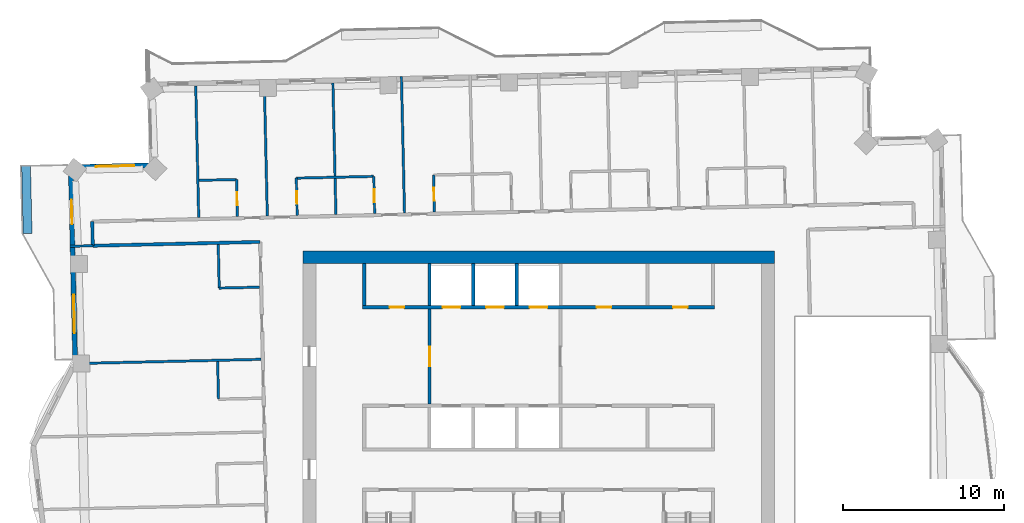
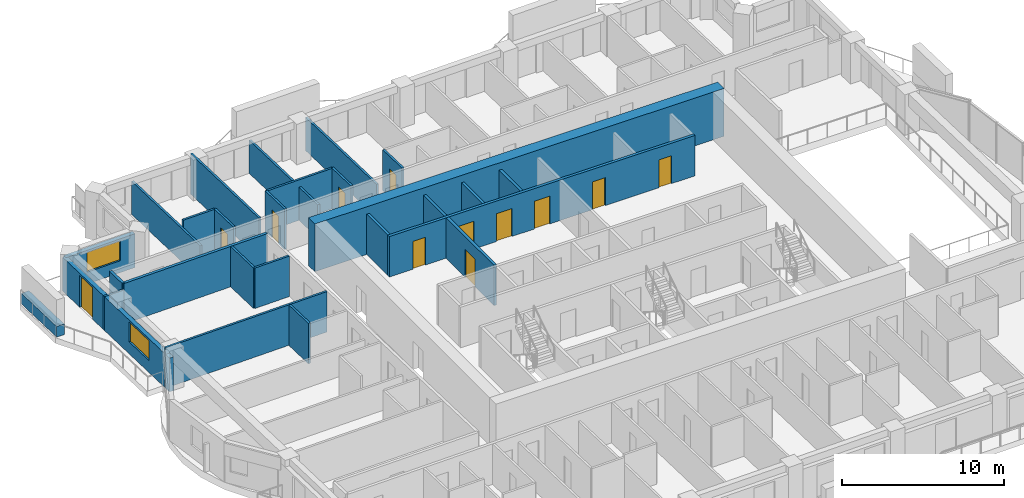
# One storey, part 10 of 17: 27 walls, 12 doors, 2 windows, 14 openings.
"""IFC4 building model written with IfcOpenShell, lengths in metres."""

from ifc_helpers import new_model, si_unit, direction, frame, frame_2d, origin, place, context, subcontext, project, spatial, rectangle, extrude, material, layer, layer_set, type_object, element, fill, save


model = new_model("IFC4")

# Units and contexts
model_context = context("Model", 3, precision=1e-05, world=origin(), true_north=direction((0.0, 1.0)))
body_context = subcontext(model_context, "Body", "Model", "MODEL_VIEW")
ifc_project = project(units=[si_unit("LENGTHUNIT", "METRE"), si_unit("AREAUNIT", "SQUARE_METRE"), si_unit("VOLUMEUNIT", "CUBIC_METRE"), si_unit("PLANEANGLEUNIT", "RADIAN"), si_unit("MASSUNIT", "GRAM", prefix="KILO")], contexts=[model_context])

# Site, building, storey
site_placement = place(None, origin())
site = spatial("IfcSite", under=ifc_project, at=site_placement, CompositionType="ELEMENT")
building_placement = place(site_placement, origin())
building = spatial("IfcBuilding", under=site, at=building_placement, Name="Mangrove Gate Tower", CompositionType="ELEMENT")
storey_placement = place(building_placement, frame((0.0, 0.0, 241.89990234375)))
storey = spatial("IfcBuildingStorey", under=building, at=storey_placement, Name="L61", CompositionType="ELEMENT", Elevation=241.89990234375)

# Wall, opening, door
ifc_material_1 = material(Name="Concrete C32/40", Category="concrete")
ifc_layer_1 = layer(ifc_material_1, 0.199951171875)
ifc_layer_set_1 = layer_set([ifc_layer_1], Name="Core lobby wall 200 C32/40")
wall_type_1 = type_object("IfcWallType", Name="Core lobby wall 200 C32/40", PredefinedType="STANDARD", material=ifc_layer_set_1)
wall_1_placement = place(storey_placement, frame((-6.75, 2.10009765625, 0.0), z_axis=(0.0, 0.0, 1.0), x_axis=(0.0, 1.0, 0.0)))
wall_1 = element("IfcWall", 1, at=wall_1_placement, inside=storey, type_object=wall_type_1, Name="WALL-L61-CORE-33", PredefinedType="STANDARD", context=body_context, shape_type="SweptSolid", body=[
    extrude(rectangle(XDim=5.89990234375, YDim=0.199951171875, at=frame_2d((2.949951171875, 0.0))), origin(), (0.0, 0.0, 1.0), 3.050048828125),
])
opening_1_placement = place(wall_1_placement, frame((2.35009765625, 0.0, 0.0)))
opening_1 = element("IfcOpeningElement", 2, at=opening_1_placement, cuts=wall_1, Name="Opening FL12", PredefinedType="OPENING", context=body_context, shape_type="SweptSolid", body=[
    extrude(rectangle(XDim=1.199951171875, YDim=2.10009765625, at=frame_2d((0.60009765625, 1.050048828125))), frame((0.0, 0.10986328125, 0.0), z_axis=(0.0, -1.0, 0.0), x_axis=(1.0, 0.0, 0.0)), (0.0, 0.0, 1.0), 0.219970703125),
])
ifc_material_2 = material(Name="Fire-rated steel door set", Category="steel")
door_type_1 = type_object("IfcDoorType", Name="Lobby door FD60 1200x2100", OperationType="SINGLE_SWING_LEFT", PredefinedType="DOOR", material=ifc_material_2)
door_1_placement = place(opening_1_placement, origin())
door_1 = element("IfcDoor", 3, at=door_1_placement, inside=storey, type_object=door_type_1, Name="Lobby door lift lobby partition", OperationType="SINGLE_SWING_LEFT", OverallHeight=2.10009765625, OverallWidth=1.199951171875, PredefinedType="DOOR", context=body_context, shape_type="SweptSolid", body=[
    extrude(rectangle(XDim=1.199951171875, YDim=2.10009765625, at=frame_2d((0.60009765625, 1.050048828125))), frame((0.0, 0.02490234375, 0.0), z_axis=(0.0, -1.0, 0.0), x_axis=(1.0, 0.0, 0.0)), (0.0, 0.0, 1.0), 0.050048828125),
])
fill(opening_1, door_1)

# Wall
ifc_material_3 = material(Name="Concrete C32/40", Category="concrete")
ifc_layer_2 = layer(ifc_material_3, 0.199951171875)
ifc_layer_set_2 = layer_set([ifc_layer_2], Name="Core room wall 200 C32/40")
wall_type_2 = type_object("IfcWallType", Name="Core room wall 200 C32/40", PredefinedType="STANDARD", material=ifc_layer_set_2)
wall_2_placement = place(storey_placement, frame((-10.800048828125, 8.199951171875, 0.0), z_axis=(0.0, 0.0, 1.0), x_axis=(0.0, 1.0, 0.0)))
element("IfcWall", 4, at=wall_2_placement, inside=storey, type_object=wall_type_2, Name="WALL-L61-CORE-26", PredefinedType="STANDARD", context=body_context, shape_type="SweptSolid", body=[
    extrude(rectangle(XDim=2.60009765625, YDim=0.199951171875, at=frame_2d((1.300048828125, 0.0))), origin(), (0.0, 0.0, 1.0), 3.050048828125),
])

# Wall, openings, doors
ifc_material_4 = material(Name="Concrete C60/75", Category="concrete")
ifc_layer_3 = layer(ifc_material_4, 0.199951171875)
ifc_layer_set_3 = layer_set([ifc_layer_3], Name="Core shaft wall 200 C60/75")
wall_type_3 = type_object("IfcWallType", Name="Core shaft wall 200 C60/75", PredefinedType="SHEAR", material=ifc_layer_set_3)
wall_3_placement = place(storey_placement, frame((-10.89990234375, 8.10009765625, 0.0), z_axis=(0.0, 0.0, 1.0), x_axis=(1.0, 0.0, 0.0)))
wall_3 = element("IfcWall", 5, at=wall_3_placement, inside=storey, type_object=wall_type_3, Name="WALL-L61-CORE-8", PredefinedType="SHEAR", context=body_context, shape_type="SweptSolid", body=[
    extrude(rectangle(XDim=21.7998046875, YDim=0.199951171875, at=frame_2d((10.89990234375, 0.0))), origin(), (0.0, 0.0, 1.0), 3.050048828125),
])
opening_2_placement = place(wall_3_placement, frame((4.949951171875, 0.0, 0.0)))
opening_2 = element("IfcOpeningElement", 6, at=opening_2_placement, cuts=wall_3, Name="Opening LD", PredefinedType="OPENING", context=body_context, shape_type="SweptSolid", body=[
    extrude(rectangle(XDim=1.10009765625, YDim=2.10009765625, at=frame_2d((0.550048828125, 1.050048828125))), frame((0.0, 0.10986328125, 0.0), z_axis=(0.0, -1.0, 0.0), x_axis=(1.0, 0.0, 0.0)), (0.0, 0.0, 1.0), 0.219970703125),
])
opening_3_placement = place(wall_3_placement, frame((7.64990234375, 0.0, 0.0)))
opening_3 = element("IfcOpeningElement", 7, at=opening_3_placement, cuts=wall_3, Name="Opening LD", PredefinedType="OPENING", context=body_context, shape_type="SweptSolid", body=[
    extrude(rectangle(XDim=1.10009765625, YDim=2.10009765625, at=frame_2d((0.550048828125, 1.050048828125))), frame((0.0, 0.10986328125, 0.0), z_axis=(0.0, -1.0, 0.0), x_axis=(1.0, 0.0, 0.0)), (0.0, 0.0, 1.0), 0.219970703125),
])
opening_4_placement = place(wall_3_placement, frame((10.35009765625, 0.0, 0.0)))
opening_4 = element("IfcOpeningElement", 8, at=opening_4_placement, cuts=wall_3, Name="Opening LD", PredefinedType="OPENING", context=body_context, shape_type="SweptSolid", body=[
    extrude(rectangle(XDim=1.10009765625, YDim=2.10009765625, at=frame_2d((0.550048828125, 1.050048828125))), frame((0.0, 0.10986328125, 0.0), z_axis=(0.0, -1.0, 0.0), x_axis=(1.0, 0.0, 0.0)), (0.0, 0.0, 1.0), 0.219970703125),
])
opening_5_placement = place(wall_3_placement, frame((1.675048828125, 0.0, 0.0)))
opening_5 = element("IfcOpeningElement", 9, at=opening_5_placement, cuts=wall_3, Name="Opening KD", PredefinedType="OPENING", context=body_context, shape_type="SweptSolid", body=[
    extrude(rectangle(XDim=0.89990234375, YDim=2.10009765625, at=frame_2d((0.449951171875, 1.050048828125))), frame((0.0, 0.10986328125, 0.0), z_axis=(0.0, -1.0, 0.0), x_axis=(1.0, 0.0, 0.0)), (0.0, 0.0, 1.0), 0.219970703125),
])
opening_6_placement = place(wall_3_placement, frame((14.5, 0.0, 0.0)))
opening_6 = element("IfcOpeningElement", 10, at=opening_6_placement, cuts=wall_3, Name="Opening RD", PredefinedType="OPENING", context=body_context, shape_type="SweptSolid", body=[
    extrude(rectangle(XDim=0.89990234375, YDim=2.10009765625, at=frame_2d((0.449951171875, 1.050048828125))), frame((0.0, 0.10986328125, 0.0), z_axis=(0.0, -1.0, 0.0), x_axis=(1.0, 0.0, 0.0)), (0.0, 0.0, 1.0), 0.219970703125),
])
opening_7_placement = place(wall_3_placement, frame((19.22509765625, 0.0, 0.0)))
opening_7 = element("IfcOpeningElement", 11, at=opening_7_placement, cuts=wall_3, Name="Opening RD", PredefinedType="OPENING", context=body_context, shape_type="SweptSolid", body=[
    extrude(rectangle(XDim=0.89990234375, YDim=2.10009765625, at=frame_2d((0.449951171875, 1.050048828125))), frame((0.0, 0.10986328125, 0.0), z_axis=(0.0, -1.0, 0.0), x_axis=(1.0, 0.0, 0.0)), (0.0, 0.0, 1.0), 0.219970703125),
])
ifc_material_5 = material(Name="Fire-rated steel door set", Category="steel")
door_type_2 = type_object("IfcDoorType", Name="Core room door FD30S 900x2100", OperationType="SINGLE_SWING_RIGHT", PredefinedType="DOOR", material=ifc_material_5)
door_2_placement = place(opening_5_placement, origin())
door_2 = element("IfcDoor", 12, at=door_2_placement, inside=storey, type_object=door_type_2, Name="Core room door Linen store", OperationType="SINGLE_SWING_RIGHT", OverallHeight=2.10009765625, OverallWidth=0.89990234375, PredefinedType="DOOR", context=body_context, shape_type="SweptSolid", body=[
    extrude(rectangle(XDim=0.89990234375, YDim=2.10009765625, at=frame_2d((0.449951171875, 1.050048828125))), frame((0.0, 0.02490234375, 0.0), z_axis=(0.0, -1.0, 0.0), x_axis=(1.0, 0.0, 0.0)), (0.0, 0.0, 1.0), 0.050048828125),
])
fill(opening_5, door_2)
ifc_material_6 = material(Name="Stainless steel 316", Category="steel")
door_type_3 = type_object("IfcDoorType", Name="Lift landing door 1100x2100", OperationType="SLIDING_TO_LEFT", PredefinedType="DOOR", material=ifc_material_6)
door_3_placement = place(opening_2_placement, origin())
door_3 = element("IfcDoor", 13, at=door_3_placement, inside=storey, type_object=door_type_3, Name="Landing door LD H04", OperationType="SLIDING_TO_LEFT", OverallHeight=2.10009765625, OverallWidth=1.10009765625, PredefinedType="DOOR", context=body_context, shape_type="SweptSolid", body=[
    extrude(rectangle(XDim=1.10009765625, YDim=2.10009765625, at=frame_2d((0.550048828125, 1.050048828125))), frame((0.0, 0.02490234375, 0.0), z_axis=(0.0, -1.0, 0.0), x_axis=(1.0, 0.0, 0.0)), (0.0, 0.0, 1.0), 0.050048828125),
])
fill(opening_2, door_3)
door_4_placement = place(opening_3_placement, origin())
door_4 = element("IfcDoor", 14, at=door_4_placement, inside=storey, type_object=door_type_3, Name="Landing door LD H05", OperationType="SLIDING_TO_LEFT", OverallHeight=2.10009765625, OverallWidth=1.10009765625, PredefinedType="DOOR", context=body_context, shape_type="SweptSolid", body=[
    extrude(rectangle(XDim=1.10009765625, YDim=2.10009765625, at=frame_2d((0.550048828125, 1.050048828125))), frame((0.0, 0.02490234375, 0.0), z_axis=(0.0, -1.0, 0.0), x_axis=(1.0, 0.0, 0.0)), (0.0, 0.0, 1.0), 0.050048828125),
])
fill(opening_3, door_4)
door_5_placement = place(opening_4_placement, origin())
door_5 = element("IfcDoor", 15, at=door_5_placement, inside=storey, type_object=door_type_3, Name="Landing door LD H06", OperationType="SLIDING_TO_LEFT", OverallHeight=2.10009765625, OverallWidth=1.10009765625, PredefinedType="DOOR", context=body_context, shape_type="SweptSolid", body=[
    extrude(rectangle(XDim=1.10009765625, YDim=2.10009765625, at=frame_2d((0.550048828125, 1.050048828125))), frame((0.0, 0.02490234375, 0.0), z_axis=(0.0, -1.0, 0.0), x_axis=(1.0, 0.0, 0.0)), (0.0, 0.0, 1.0), 0.050048828125),
])
fill(opening_4, door_5)
ifc_material_7 = material(Name="Fire-rated steel door set", Category="steel")
door_type_4 = type_object("IfcDoorType", Name="Riser door FD30S 900x2100", OperationType="SINGLE_SWING_LEFT", PredefinedType="DOOR", material=ifc_material_7)
door_6_placement = place(opening_6_placement, origin())
door_6 = element("IfcDoor", 16, at=door_6_placement, inside=storey, type_object=door_type_4, Name="Riser door Switch room", OperationType="SINGLE_SWING_LEFT", OverallHeight=2.10009765625, OverallWidth=0.89990234375, PredefinedType="DOOR", context=body_context, shape_type="SweptSolid", body=[
    extrude(rectangle(XDim=0.89990234375, YDim=2.10009765625, at=frame_2d((0.449951171875, 1.050048828125))), frame((0.0, 0.02490234375, 0.0), z_axis=(0.0, -1.0, 0.0), x_axis=(1.0, 0.0, 0.0)), (0.0, 0.0, 1.0), 0.050048828125),
])
fill(opening_6, door_6)
door_7_placement = place(opening_7_placement, origin())
door_7 = element("IfcDoor", 17, at=door_7_placement, inside=storey, type_object=door_type_4, Name="Riser door Comms room", OperationType="SINGLE_SWING_LEFT", OverallHeight=2.10009765625, OverallWidth=0.89990234375, PredefinedType="DOOR", context=body_context, shape_type="SweptSolid", body=[
    extrude(rectangle(XDim=0.89990234375, YDim=2.10009765625, at=frame_2d((0.449951171875, 1.050048828125))), frame((0.0, 0.02490234375, 0.0), z_axis=(0.0, -1.0, 0.0), x_axis=(1.0, 0.0, 0.0)), (0.0, 0.0, 1.0), 0.050048828125),
])
fill(opening_7, door_7)

# Walls
for number, where, z_axis, x_axis, name in (
    (18, (-6.75, 8.199951171875, 0.0), (0.0, 0.0, 1.0), (0.0, 1.0, 0.0), "WALL-L61-CORE-27"),
    (19, (-4.050048828125, 8.199951171875, 0.0), (0.0, 0.0, 1.0), (0.0, 1.0, 0.0), "WALL-L61-CORE-28"),
    (20, (-1.35009765625, 8.199951171875, 0.0), (0.0, 0.0, 1.0), (0.0, 1.0, 0.0), "WALL-L61-CORE-29"),
):
    element("IfcWall", number, at=place(storey_placement, frame(where, z_axis=z_axis, x_axis=x_axis)), inside=storey, type_object=wall_type_3, Name=name, PredefinedType="SHEAR", context=body_context, shape_type="SweptSolid", body=[
        extrude(rectangle(XDim=2.60009765625, YDim=0.199951171875, at=frame_2d((1.300048828125, 0.0))), origin(), (0.0, 0.0, 1.0), 3.050048828125),
    ])
ifc_material_8 = material(Name="Concrete C60/75", Category="concrete")
ifc_layer_4 = layer(ifc_material_8, 0.800048828125)
ifc_layer_set_4 = layer_set([ifc_layer_4], Name="Core wall 800 C60/75")
wall_type_4 = type_object("IfcWallType", Name="Core wall 800 C60/75", PredefinedType="SHEAR", material=ifc_layer_set_4)
wall_4_placement = place(storey_placement, frame((-14.60009765625, 11.199951171875, 0.0), z_axis=(0.0, 0.0, 1.0), x_axis=(1.0, 0.0, 0.0)))
element("IfcWall", 21, at=wall_4_placement, inside=storey, type_object=wall_type_4, Name="WALL-L61-CORE-2", PredefinedType="SHEAR", context=body_context, shape_type="SweptSolid", body=[
    extrude(rectangle(XDim=29.2001953125, YDim=0.800048828125, at=frame_2d((14.60009765625, 0.0))), origin(), (0.0, 0.0, 1.0), 3.60009765625),
])
ifc_material_9 = material(Name="Gypsum board on steel stud, EI 60", Category="steel")
ifc_layer_5 = layer(ifc_material_9, 0.199951171875)
ifc_layer_set_5 = layer_set([ifc_layer_5], Name="Corridor wall EI 60")
wall_type_5 = type_object("IfcWallType", Name="Corridor wall EI 60", PredefinedType="PARTITIONING", material=ifc_layer_set_5)
wall_5_placement = place(storey_placement, frame((-27.617919921875, 11.9130859375, 0.0), z_axis=(0.0, 0.0, 1.0), x_axis=(0.999741483035, 0.022736910479, 0.0)))
element("IfcWall", 22, at=wall_5_placement, inside=storey, type_object=wall_type_5, Name="WALL-L61-053", PredefinedType="PARTITIONING", context=body_context, shape_type="SweptSolid", body=[
    extrude(rectangle(XDim=10.37255859375, YDim=0.199951171875, at=frame_2d((5.186279296875, 0.0))), origin(), (0.0, 0.0, 1.0), 3.050048828125),
])
wall_6_placement = place(storey_placement, frame((-27.614013671875, 11.9130859375, 0.0), z_axis=(0.0, 0.0, 1.0), x_axis=(-0.022617910375, 0.999744182344, 0.0)))
element("IfcWall", 23, at=wall_6_placement, inside=storey, type_object=wall_type_5, Name="WALL-L61-054", PredefinedType="PARTITIONING", context=body_context, shape_type="SweptSolid", body=[
    extrude(rectangle(XDim=1.50048828125, YDim=0.199951171875, at=frame_2d((0.750244140625, 0.0))), origin(), (0.0, 0.0, 1.0), 3.050048828125),
])

# Wall, opening, window
ifc_material_10 = material(Name="Limestone", Category="masonry")
ifc_layer_6 = layer(ifc_material_10, 0.0400390625, Name="Limestone cladding")
ifc_material_11 = material(Name="Ventilated air gap")
ifc_layer_7 = layer(ifc_material_11, 0.0400390625, Name="Ventilated cavity")
ifc_material_12 = material(Name="Mineral wool insulation")
ifc_layer_8 = layer(ifc_material_12, 0.06005859375, Name="Insulation")
ifc_material_13 = material(Name="Breather membrane")
ifc_layer_9 = layer(ifc_material_13, 0.001953125, Name="Breather membrane")
ifc_material_14 = material(Name="Concrete C20/25 blockwork", Category="masonry")
ifc_layer_10 = layer(ifc_material_14, 0.14990234375, Name="Blockwork backing wall")
ifc_material_15 = material(Name="Gypsum plaster")
ifc_layer_11 = layer(ifc_material_15, 0.008056640625, Name="Internal plaster")
ifc_layer_set_6 = layer_set([ifc_layer_6, ifc_layer_7, ifc_layer_8, ifc_layer_9, ifc_layer_10, ifc_layer_11], Name="External wall 300 limestone cladding")
wall_type_6 = type_object("IfcWallType", Name="External wall 300 limestone cladding", PredefinedType="SOLIDWALL", material=ifc_layer_set_6)
wall_7_placement = place(storey_placement, frame((-23.98095703125, 16.89697265625, 0.0), z_axis=(0.0, 0.0, 1.0), x_axis=(-0.999744350543, -0.022610474516, 0.0)))
wall_7 = element("IfcWall", 24, at=wall_7_placement, inside=storey, type_object=wall_type_6, Name="WALL-L61-N7", PredefinedType="SOLIDWALL", context=body_context, shape_type="SweptSolid", body=[
    extrude(rectangle(XDim=4.999267578125, YDim=0.300048828125, at=frame_2d((2.49951171875, 0.0))), origin(), (0.0, 0.0, 1.0), 2.550048828125),
])
opening_8_placement = place(wall_7_placement, frame((1.06298828125, 0.0, 0.89990234375)))
opening_8 = element("IfcOpeningElement", 25, at=opening_8_placement, cuts=wall_7, Name="Opening W2", PredefinedType="OPENING", context=body_context, shape_type="SweptSolid", body=[
    extrude(rectangle(XDim=2.39990234375, YDim=1.5, at=frame_2d((1.199951171875, 0.75))), frame((0.0, 0.159912109375, 0.0), z_axis=(0.0, -1.0, 0.0), x_axis=(1.0, 0.0, 0.0)), (0.0, 0.0, 1.0), 0.320068359375),
])
ifc_material_16 = material(Name="Aluminium frame with double-glazed low-e glass", Category="aluminium")
window_type = type_object("IfcWindowType", Name="Corner room window 2400x1500", PartitioningType="DOUBLE_PANEL_VERTICAL", PredefinedType="WINDOW", material=ifc_material_16)
window_1_placement = place(opening_8_placement, origin())
window_1 = element("IfcWindow", 26, at=window_1_placement, inside=storey, type_object=window_type, Name="WIN-L61-N7-1", OverallHeight=1.5, OverallWidth=2.39990234375, PartitioningType="DOUBLE_PANEL_VERTICAL", PredefinedType="WINDOW", context=body_context, shape_type="SweptSolid", body=[
    extrude(rectangle(XDim=2.39990234375, YDim=1.5, at=frame_2d((1.199951171875, 0.75))), frame((0.0, 0.030029296875, 0.0), z_axis=(0.0, -1.0, 0.0), x_axis=(1.0, 0.0, 0.0)), (0.0, 0.0, 1.0), 0.06005859375),
])
fill(opening_8, window_1)

# Wall, openings, door, window
wall_8_placement = place(storey_placement, frame((-28.97900390625, 16.783935546875, 0.0), z_axis=(0.0, 0.0, 1.0), x_axis=(0.022685159264, -0.999742658662, 0.0)))
wall_8 = element("IfcWall", 27, at=wall_8_placement, inside=storey, type_object=wall_type_6, Name="WALL-L61-W8s1", PredefinedType="SOLIDWALL", context=body_context, shape_type="SweptSolid", body=[
    extrude(rectangle(XDim=12.69921875, YDim=0.300048828125, at=frame_2d((6.349609375, 0.0))), origin(), (0.0, 0.0, 1.0), 2.550048828125),
])
opening_9_placement = place(wall_8_placement, frame((2.034912109375, 0.0, 0.0)))
opening_9 = element("IfcOpeningElement", 28, at=opening_9_placement, cuts=wall_8, Name="Opening BD1", PredefinedType="OPENING", context=body_context, shape_type="SweptSolid", body=[
    extrude(rectangle(XDim=1.5, YDim=2.39990234375, at=frame_2d((0.75, 1.199951171875))), frame((0.0, 0.159912109375, 0.0), z_axis=(0.0, -1.0, 0.0), x_axis=(1.0, 0.0, 0.0)), (0.0, 0.0, 1.0), 0.320068359375),
])
opening_10_placement = place(wall_8_placement, frame((7.89404296875, 0.0, 0.89990234375)))
opening_10 = element("IfcOpeningElement", 29, at=opening_10_placement, cuts=wall_8, Name="Opening W2", PredefinedType="OPENING", context=body_context, shape_type="SweptSolid", body=[
    extrude(rectangle(XDim=2.39990234375, YDim=1.5, at=frame_2d((1.199951171875, 0.75))), frame((0.0, 0.159912109375, 0.0), z_axis=(0.0, -1.0, 0.0), x_axis=(1.0, 0.0, 0.0)), (0.0, 0.0, 1.0), 0.320068359375),
])
ifc_material_17 = material(Name="Aluminium frame with laminated clear glass", Category="aluminium")
door_type_5 = type_object("IfcDoorType", Name="Balcony sliding door 1500x2400", OperationType="SLIDING_TO_LEFT", PredefinedType="DOOR", material=ifc_material_17)
door_8_placement = place(opening_9_placement, origin())
door_8 = element("IfcDoor", 30, at=door_8_placement, inside=storey, type_object=door_type_5, Name="DOOR-L61-W8-1", OperationType="SLIDING_TO_LEFT", OverallHeight=2.39990234375, OverallWidth=1.5, PredefinedType="DOOR", context=body_context, shape_type="SweptSolid", body=[
    extrude(rectangle(XDim=1.5, YDim=2.39990234375, at=frame_2d((0.75, 1.199951171875))), frame((0.0, 0.02490234375, 0.0), z_axis=(0.0, -1.0, 0.0), x_axis=(1.0, 0.0, 0.0)), (0.0, 0.0, 1.0), 0.050048828125),
])
fill(opening_9, door_8)
window_2_placement = place(opening_10_placement, origin())
window_2 = element("IfcWindow", 31, at=window_2_placement, inside=storey, type_object=window_type, Name="WIN-L61-W8-2", OverallHeight=1.5, OverallWidth=2.39990234375, PartitioningType="DOUBLE_PANEL_VERTICAL", PredefinedType="WINDOW", context=body_context, shape_type="SweptSolid", body=[
    extrude(rectangle(XDim=2.39990234375, YDim=1.5, at=frame_2d((1.199951171875, 0.75))), frame((0.0, 0.030029296875, 0.0), z_axis=(0.0, -1.0, 0.0), x_axis=(1.0, 0.0, 0.0)), (0.0, 0.0, 1.0), 0.06005859375),
])
fill(opening_10, window_2)

# Walls
ifc_material_18 = material(Name="Gypsum board on steel stud, EI 60", Category="steel")
ifc_layer_12 = layer(ifc_material_18, 0.14990234375)
ifc_layer_set_7 = layer_set([ifc_layer_12], Name="Party wall 150 EI 60")
wall_type_7 = type_object("IfcWallType", Name="Party wall 150 EI 60", PredefinedType="PARTITIONING", material=ifc_layer_set_7)
wall_9_placement = place(storey_placement, frame((-19.826904296875, 2.4130859375, 0.0), z_axis=(0.0, 0.0, 1.0), x_axis=(-0.02279059109, 0.999740260747, 0.0)))
element("IfcWall", 32, at=wall_9_placement, inside=storey, type_object=wall_type_7, Name="WALL-L61-047", PredefinedType="PARTITIONING", context=body_context, shape_type="SweptSolid", body=[
    extrude(rectangle(XDim=2.324462890625, YDim=0.14990234375, at=frame_2d((1.162109375, 0.0))), origin(), (0.0, 0.0, 1.0), 3.050048828125),
])
wall_10_placement = place(storey_placement, frame((-28.85302734375, 4.613037109375, 0.0), z_axis=(0.0, 0.0, 1.0), x_axis=(0.999742483, 0.022692899457, 0.0)))
element("IfcWall", 33, at=wall_10_placement, inside=storey, type_object=wall_type_7, Name="WALL-L61-048", PredefinedType="PARTITIONING", context=body_context, shape_type="SweptSolid", body=[
    extrude(rectangle(XDim=11.6728515625, YDim=0.14990234375, at=frame_2d((5.83642578125, 0.0))), origin(), (0.0, 0.0, 1.0), 3.050048828125),
])
wall_11_placement = place(storey_placement, frame((-19.783935546875, 9.2900390625, 0.0), z_axis=(0.0, 0.0, 1.0), x_axis=(0.999741028149, 0.022756903044, 0.0)))
element("IfcWall", 34, at=wall_11_placement, inside=storey, type_object=wall_type_7, Name="WALL-L61-050", PredefinedType="PARTITIONING", context=body_context, shape_type="SweptSolid", body=[
    extrude(rectangle(XDim=2.499755859375, YDim=0.14990234375, at=frame_2d((1.25, 0.0))), origin(), (0.0, 0.0, 1.0), 3.050048828125),
])
wall_12_placement = place(storey_placement, frame((-19.782958984375, 9.2900390625, 0.0), z_axis=(0.0, 0.0, 1.0), x_axis=(-0.022600248254, 0.99974458177, 0.0)))
element("IfcWall", 35, at=wall_12_placement, inside=storey, type_object=wall_type_7, Name="WALL-L61-051", PredefinedType="PARTITIONING", context=body_context, shape_type="SweptSolid", body=[
    extrude(rectangle(XDim=2.70068359375, YDim=0.14990234375, at=frame_2d((1.350341796875, 0.0))), origin(), (0.0, 0.0, 1.0), 3.050048828125),
])
wall_13_placement = place(storey_placement, frame((-29.01806640625, 11.881103515625, 0.0), z_axis=(0.0, 0.0, 1.0), x_axis=(0.999740667531, 0.022772739949, 0.0)))
element("IfcWall", 36, at=wall_13_placement, inside=storey, type_object=wall_type_7, Name="WALL-L61-052", PredefinedType="PARTITIONING", context=body_context, shape_type="SweptSolid", body=[
    extrude(rectangle(XDim=1.404296875, YDim=0.14990234375, at=frame_2d((0.7021484375, 0.0))), origin(), (0.0, 0.0, 1.0), 2.550048828125),
])
wall_14_placement = place(storey_placement, frame((-21.052001953125, 13.6630859375, 0.0), z_axis=(0.0, 0.0, 1.0), x_axis=(-0.022706435224, 0.999742175663, 0.0)))
element("IfcWall", 37, at=wall_14_placement, inside=storey, type_object=wall_type_7, Name="WALL-L61-059", PredefinedType="PARTITIONING", context=body_context, shape_type="SweptSolid", body=[
    extrude(rectangle(XDim=8.150146484375, YDim=0.14990234375, at=frame_2d((4.0751953125, 0.0))), origin(), (0.0, 0.0, 1.0), 2.5),
])

# Wall, opening, door
wall_15_placement = place(storey_placement, frame((-18.653076171875, 13.717041015625, 0.0), z_axis=(0.0, 0.0, 1.0), x_axis=(-0.022612884682, 0.999744296031, 0.0)))
wall_15 = element("IfcWall", 38, at=wall_15_placement, inside=storey, type_object=wall_type_7, Name="WALL-L61-060", PredefinedType="PARTITIONING", context=body_context, shape_type="SweptSolid", body=[
    extrude(rectangle(XDim=2.299560546875, YDim=0.14990234375, at=frame_2d((1.14990234375, 0.0))), origin(), (0.0, 0.0, 1.0), 3.050048828125),
])
opening_11_placement = place(wall_15_placement, frame((0.699951171875, 0.0, 0.0)))
opening_11 = element("IfcOpeningElement", 39, at=opening_11_placement, cuts=wall_15, Name="Opening ED", PredefinedType="OPENING", context=body_context, shape_type="SweptSolid", body=[
    extrude(rectangle(XDim=0.800048828125, YDim=2.10009765625, at=frame_2d((0.39990234375, 1.050048828125))), frame((0.0, 0.0849609375, 0.0), z_axis=(0.0, -1.0, 0.0), x_axis=(1.0, 0.0, 0.0)), (0.0, 0.0, 1.0), 0.169921875),
])
ifc_material_19 = material(Name="Timber door leaf", Category="wood")
door_type_6 = type_object("IfcDoorType", Name="En-suite door 800", OperationType="SINGLE_SWING_LEFT", PredefinedType="DOOR", material=ifc_material_19)
door_9_placement = place(opening_11_placement, origin())
door_9 = element("IfcDoor", 40, at=door_9_placement, inside=storey, type_object=door_type_6, Name="DOOR-L61-ENS-c517", OperationType="SINGLE_SWING_LEFT", OverallHeight=2.10009765625, OverallWidth=0.800048828125, PredefinedType="DOOR", context=body_context, shape_type="SweptSolid", body=[
    extrude(rectangle(XDim=0.800048828125, YDim=2.10009765625, at=frame_2d((0.39990234375, 1.050048828125))), frame((0.0, 0.02490234375, 0.0), z_axis=(0.0, -1.0, 0.0), x_axis=(1.0, 0.0, 0.0)), (0.0, 0.0, 1.0), 0.050048828125),
])
fill(opening_11, door_9)

# Wall
wall_16_placement = place(storey_placement, frame((-16.803955078125, 13.759033203125, 0.0), z_axis=(0.0, 0.0, 1.0), x_axis=(-0.022586673637, 0.999744888546, 0.0)))
element("IfcWall", 41, at=wall_16_placement, inside=storey, type_object=wall_type_7, Name="WALL-L61-061", PredefinedType="PARTITIONING", context=body_context, shape_type="SweptSolid", body=[
    extrude(rectangle(XDim=8.150146484375, YDim=0.14990234375, at=frame_2d((4.0751953125, 0.0))), origin(), (0.0, 0.0, 1.0), 3.050048828125),
])

# Wall, opening, door
wall_17_placement = place(storey_placement, frame((-14.9541015625, 13.801025390625, 0.0), z_axis=(0.0, 0.0, 1.0), x_axis=(-0.022612884682, 0.999744296031, 0.0)))
wall_17 = element("IfcWall", 42, at=wall_17_placement, inside=storey, type_object=wall_type_7, Name="WALL-L61-062", PredefinedType="PARTITIONING", context=body_context, shape_type="SweptSolid", body=[
    extrude(rectangle(XDim=2.299560546875, YDim=0.14990234375, at=frame_2d((1.14990234375, 0.0))), origin(), (0.0, 0.0, 1.0), 3.050048828125),
])
opening_12_placement = place(wall_17_placement, frame((0.699951171875, 0.0, 0.0)))
opening_12 = element("IfcOpeningElement", 43, at=opening_12_placement, cuts=wall_17, Name="Opening ED", PredefinedType="OPENING", context=body_context, shape_type="SweptSolid", body=[
    extrude(rectangle(XDim=0.800048828125, YDim=2.10009765625, at=frame_2d((0.39990234375, 1.050048828125))), frame((0.0, 0.0849609375, 0.0), z_axis=(0.0, -1.0, 0.0), x_axis=(1.0, 0.0, 0.0)), (0.0, 0.0, 1.0), 0.169921875),
])
door_10_placement = place(opening_12_placement, origin())
door_10 = element("IfcDoor", 44, at=door_10_placement, inside=storey, type_object=door_type_6, Name="DOOR-L61-ENS-c516", OperationType="SINGLE_SWING_RIGHT", OverallHeight=2.10009765625, OverallWidth=0.800048828125, PredefinedType="DOOR", context=body_context, shape_type="SweptSolid", body=[
    extrude(rectangle(XDim=0.800048828125, YDim=2.10009765625, at=frame_2d((0.39990234375, 1.050048828125))), frame((0.0, 0.02490234375, 0.0), z_axis=(0.0, -1.0, 0.0), x_axis=(1.0, 0.0, 0.0)), (0.0, 0.0, 1.0), 0.050048828125),
])
fill(opening_12, door_10)

# Wall
wall_18_placement = place(storey_placement, frame((-12.554931640625, 13.85498046875, 0.0), z_axis=(0.0, 0.0, 1.0), x_axis=(-0.022706435224, 0.999742175663, 0.0)))
element("IfcWall", 45, at=wall_18_placement, inside=storey, type_object=wall_type_7, Name="WALL-L61-063", PredefinedType="PARTITIONING", context=body_context, shape_type="SweptSolid", body=[
    extrude(rectangle(XDim=8.150146484375, YDim=0.14990234375, at=frame_2d((4.0751953125, 0.0))), origin(), (0.0, 0.0, 1.0), 2.5),
])

# Wall, opening, door
wall_19_placement = place(storey_placement, frame((-10.155029296875, 13.909912109375, 0.0), z_axis=(0.0, 0.0, 1.0), x_axis=(-0.022612884682, 0.999744296031, 0.0)))
wall_19 = element("IfcWall", 46, at=wall_19_placement, inside=storey, type_object=wall_type_7, Name="WALL-L61-064", PredefinedType="PARTITIONING", context=body_context, shape_type="SweptSolid", body=[
    extrude(rectangle(XDim=2.299560546875, YDim=0.14990234375, at=frame_2d((1.14990234375, 0.0))), origin(), (0.0, 0.0, 1.0), 3.050048828125),
])
opening_13_placement = place(wall_19_placement, frame((0.699951171875, 0.0, 0.0)))
opening_13 = element("IfcOpeningElement", 47, at=opening_13_placement, cuts=wall_19, Name="Opening ED", PredefinedType="OPENING", context=body_context, shape_type="SweptSolid", body=[
    extrude(rectangle(XDim=0.800048828125, YDim=2.10009765625, at=frame_2d((0.39990234375, 1.050048828125))), frame((0.0, 0.0849609375, 0.0), z_axis=(0.0, -1.0, 0.0), x_axis=(1.0, 0.0, 0.0)), (0.0, 0.0, 1.0), 0.169921875),
])
door_11_placement = place(opening_13_placement, origin())
door_11 = element("IfcDoor", 48, at=door_11_placement, inside=storey, type_object=door_type_6, Name="DOOR-L61-ENS-c515", OperationType="SINGLE_SWING_LEFT", OverallHeight=2.10009765625, OverallWidth=0.800048828125, PredefinedType="DOOR", context=body_context, shape_type="SweptSolid", body=[
    extrude(rectangle(XDim=0.800048828125, YDim=2.10009765625, at=frame_2d((0.39990234375, 1.050048828125))), frame((0.0, 0.02490234375, 0.0), z_axis=(0.0, -1.0, 0.0), x_axis=(1.0, 0.0, 0.0)), (0.0, 0.0, 1.0), 0.050048828125),
])
fill(opening_13, door_11)

# Wall
wall_20_placement = place(storey_placement, frame((-8.305908203125, 13.951904296875, 0.0), z_axis=(0.0, 0.0, 1.0), x_axis=(-0.022622304913, 0.999744082913, 0.0)))
element("IfcWall", 49, at=wall_20_placement, inside=storey, type_object=wall_type_7, Name="WALL-L61-065", PredefinedType="PARTITIONING", context=body_context, shape_type="SweptSolid", body=[
    extrude(rectangle(XDim=8.4501953125, YDim=0.14990234375, at=frame_2d((4.22509765625, 0.0))), origin(), (0.0, 0.0, 1.0), 2.5),
])

# Wall, opening, door
wall_21_placement = place(storey_placement, frame((-6.4560546875, 13.993896484375, 0.0), z_axis=(0.0, 0.0, 1.0), x_axis=(-0.022612884682, 0.999744296031, 0.0)))
wall_21 = element("IfcWall", 50, at=wall_21_placement, inside=storey, type_object=wall_type_7, Name="WALL-L61-066", PredefinedType="PARTITIONING", context=body_context, shape_type="SweptSolid", body=[
    extrude(rectangle(XDim=2.299560546875, YDim=0.14990234375, at=frame_2d((1.14990234375, 0.0))), origin(), (0.0, 0.0, 1.0), 3.050048828125),
])
opening_14_placement = place(wall_21_placement, frame((0.699951171875, 0.0, 0.0)))
opening_14 = element("IfcOpeningElement", 51, at=opening_14_placement, cuts=wall_21, Name="Opening ED", PredefinedType="OPENING", context=body_context, shape_type="SweptSolid", body=[
    extrude(rectangle(XDim=0.800048828125, YDim=2.10009765625, at=frame_2d((0.39990234375, 1.050048828125))), frame((0.0, 0.0849609375, 0.0), z_axis=(0.0, -1.0, 0.0), x_axis=(1.0, 0.0, 0.0)), (0.0, 0.0, 1.0), 0.169921875),
])
door_12_placement = place(opening_14_placement, origin())
door_12 = element("IfcDoor", 52, at=door_12_placement, inside=storey, type_object=door_type_6, Name="DOOR-L61-ENS-c414", OperationType="SINGLE_SWING_RIGHT", OverallHeight=2.10009765625, OverallWidth=0.800048828125, PredefinedType="DOOR", context=body_context, shape_type="SweptSolid", body=[
    extrude(rectangle(XDim=0.800048828125, YDim=2.10009765625, at=frame_2d((0.39990234375, 1.050048828125))), frame((0.0, 0.02490234375, 0.0), z_axis=(0.0, -1.0, 0.0), x_axis=(1.0, 0.0, 0.0)), (0.0, 0.0, 1.0), 0.050048828125),
])
fill(opening_14, door_12)

# Walls
wall_22_placement = place(storey_placement, frame((-21.033935546875, 15.964111328125, 0.0), z_axis=(0.0, 0.0, 1.0), x_axis=(0.999749954681, 0.022361308448, 0.0)))
element("IfcWall", 53, at=wall_22_placement, inside=storey, type_object=wall_type_7, Name="WALL-L61-078", PredefinedType="PARTITIONING", context=body_context, shape_type="SweptSolid", body=[
    extrude(rectangle(XDim=2.325439453125, YDim=0.14990234375, at=frame_2d((1.16259765625, 0.0))), origin(), (0.0, 0.0, 1.0), 3.050048828125),
])
wall_23_placement = place(storey_placement, frame((-15.010009765625, 16.10009765625, 0.0), z_axis=(0.0, 0.0, 1.0), x_axis=(0.999742701292, 0.022683280499, 0.0)))
element("IfcWall", 54, at=wall_23_placement, inside=storey, type_object=wall_type_7, Name="WALL-L61-079", PredefinedType="PARTITIONING", context=body_context, shape_type="SweptSolid", body=[
    extrude(rectangle(XDim=4.80029296875, YDim=0.14990234375, at=frame_2d((2.400146484375, 0.0))), origin(), (0.0, 0.0, 1.0), 3.050048828125),
])
ifc_material_20 = material(Name="Concrete C32/40", Category="concrete")
ifc_layer_13 = layer(ifc_material_20, 0.199951171875, Name="Planter trough wall")
ifc_material_21 = material(Name="Bituminous waterproofing membrane")
ifc_layer_14 = layer(ifc_material_21, 0.0048828125, Name="Waterproofing")
ifc_material_22 = material(Name="Drainage board and gravel")
ifc_layer_15 = layer(ifc_material_22, 0.044921875, Name="Drainage layer")
ifc_material_23 = material(Name="Planting soil")
ifc_layer_16 = layer(ifc_material_23, 0.300048828125, Name="Growing medium")
ifc_layer_set_8 = layer_set([ifc_layer_13, ifc_layer_14, ifc_layer_15, ifc_layer_16], Name="Planter wall 550 C32/40")
wall_type_8 = type_object("IfcWallType", Name="Planter wall 550 C32/40", PredefinedType="USERDEFINED", material=ifc_layer_set_8)
wall_24_placement = place(storey_placement, frame((-31.652099609375, 12.672119140625, 0.0), z_axis=(0.0, 0.0, 1.0), x_axis=(-0.022611811187, 0.999744320311, 0.0)))
element("IfcWall", 55, at=wall_24_placement, inside=storey, type_object=wall_type_8, Name="PLANTER L61 W0.1", ObjectType="PLANTER", PredefinedType="USERDEFINED", context=body_context, shape_type="SweptSolid", body=[
    extrude(rectangle(XDim=4.199951171875, YDim=0.550048828125, at=frame_2d((2.10009765625, 0.0))), origin(), (0.0, 0.0, 1.0), 0.800048828125),
])

save(model, "model.ifc")
